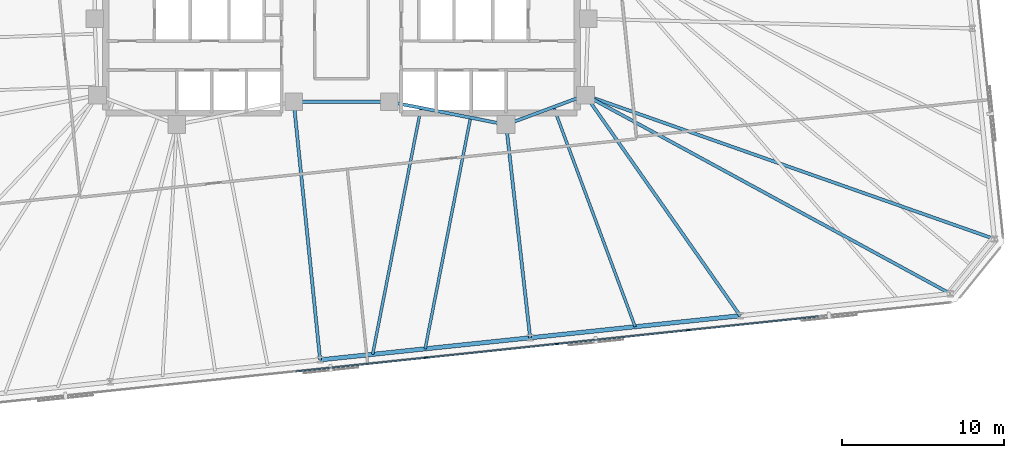
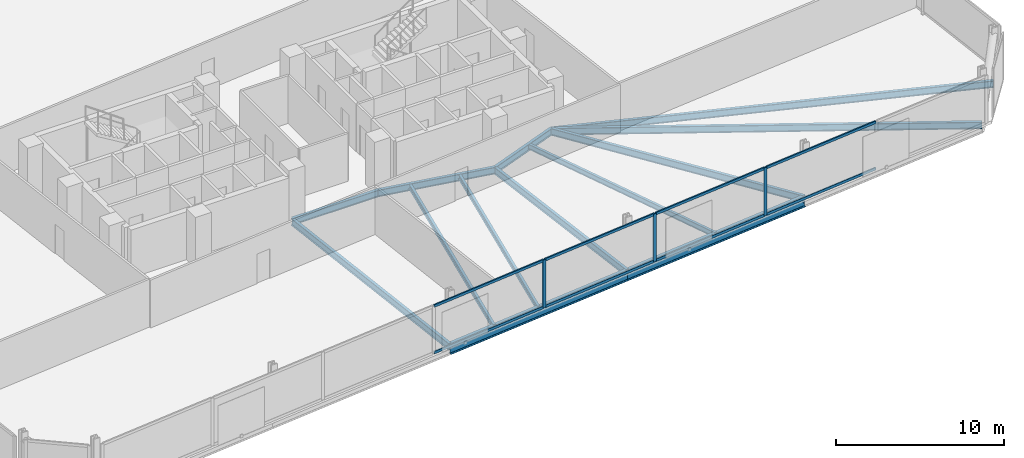
# One storey, part 7 of 17: 13 beams, 11 members, 1 element without a shape of its own.
"""IFC4 building model written with IfcOpenShell, lengths in metres."""

from ifc_helpers import new_model, si_unit, direction, frame, origin, origin_2d, place, context, subcontext, project, spatial, rectangle, i_section, extrude, material, material_profile, profile_set, type_object, element, aggregate, save


model = new_model("IFC4")

# Units and contexts
model_context = context("Model", 3, precision=1e-05, world=origin(), true_north=direction((0.0, 1.0)))
body_context = subcontext(model_context, "Body", "Model", "MODEL_VIEW")
ifc_project = project(units=[si_unit("LENGTHUNIT", "METRE"), si_unit("AREAUNIT", "SQUARE_METRE"), si_unit("VOLUMEUNIT", "CUBIC_METRE"), si_unit("PLANEANGLEUNIT", "RADIAN"), si_unit("MASSUNIT", "GRAM", prefix="KILO")], contexts=[model_context])

# Site, building, storey
site_placement = place(None, origin())
site = spatial("IfcSite", under=ifc_project, at=site_placement, CompositionType="ELEMENT")
building_placement = place(site_placement, origin())
building = spatial("IfcBuilding", under=site, at=building_placement, Name="Menara Jurai Vektor", CompositionType="ELEMENT")
storey_placement = place(building_placement, frame((0.0, 0.0, 131.800048828125)))
storey = spatial("IfcBuildingStorey", under=building, at=storey_placement, Name="L33", CompositionType="ELEMENT", Elevation=131.800048828125)

# Curtain wall, members
ifc_material_1 = material(Name="Anodised Pale Aluminium & Low-E Double Glazing", Category="aluminium")
curtain_wall_type = type_object("IfcCurtainWallType", Name="CW-BLK2", PredefinedType="NOTDEFINED", material=ifc_material_1)
curtain_wall_placement = place(storey_placement, origin())
curtain_wall = element("IfcCurtainWall", 1, at=curtain_wall_placement, inside=storey, type_object=curtain_wall_type, Name="Unitised Curtain Wall L33 F01", PredefinedType="NOTDEFINED")
ifc_material_2 = material(Name="Anodised Pale Aluminium Mullion", Category="aluminium")
ifc_material_profile_1 = material_profile(ifc_material_2, rectangle(XDim=0.090087890625, YDim=0.219970703125, at=origin_2d()), Name="ALU MUL 90x220")
ifc_profile_set_1 = profile_set([ifc_material_profile_1], Name="Anodised Pale Aluminium Mullion")
member_type_1 = type_object("IfcMemberType", Name="CW-BLK2-MUL", PredefinedType="MULLION", material=ifc_profile_set_1)
member_1_placement = place(storey_placement, frame((5.230224609375, -20.72265625, 0.0), z_axis=(0.0, 0.0, 1.0), x_axis=(-0.104528634935, 0.994521877325, 0.0)))
member_1 = element("IfcMember", 2, at=member_1_placement, type_object=member_type_1, Name="CW-02 mullion 5", PredefinedType="MULLION", context=body_context, shape_type="SweptSolid", body=[
    extrude(rectangle(XDim=0.090087890625, YDim=0.219970703125, at=origin_2d()), origin(), (0.0, 0.0, 1.0), 3.474853515625),
])
member_2_placement = place(storey_placement, frame((13.328125, -19.87158203125, 0.0), z_axis=(0.0, 0.0, 1.0), x_axis=(-0.104528634935, 0.994521877325, 0.0)))
member_2 = element("IfcMember", 3, at=member_2_placement, type_object=member_type_1, Name="CW-02 mullion 6", PredefinedType="MULLION", context=body_context, shape_type="SweptSolid", body=[
    extrude(rectangle(XDim=0.090087890625, YDim=0.219970703125, at=origin_2d()), origin(), (0.0, 0.0, 1.0), 3.474853515625),
])
member_3_placement = place(storey_placement, frame((21.426025390625, -19.020263671875, 0.0), z_axis=(0.0, 0.0, 1.0), x_axis=(-0.104528634935, 0.994521877325, 0.0)))
member_3 = element("IfcMember", 4, at=member_3_placement, type_object=member_type_1, Name="CW-02 mullion 7", PredefinedType="MULLION", context=body_context, shape_type="SweptSolid", body=[
    extrude(rectangle(XDim=0.090087890625, YDim=0.219970703125, at=origin_2d()), origin(), (0.0, 0.0, 1.0), 3.474853515625),
])
ifc_material_3 = material(Name="Anodised Pale Aluminium Transom", Category="aluminium")
ifc_material_profile_2 = material_profile(ifc_material_3, rectangle(XDim=0.090087890625, YDim=0.18505859375, at=origin_2d()), Name="ALU TRN 90x185")
ifc_profile_set_2 = profile_set([ifc_material_profile_2], Name="Anodised Pale Aluminium Transom")
member_type_2 = type_object("IfcMemberType", Name="CW-BLK2-TRN", PredefinedType="USERDEFINED", material=ifc_profile_set_2)
member_4_placement = place(storey_placement, frame((-2.82275390625, -21.569091796875, 0.044921875), z_axis=(0.994520726373, 0.10453958492, 0.0), x_axis=(-0.10453958492, 0.994520726373, 0.0)))
member_4 = element("IfcMember", 5, at=member_4_placement, type_object=member_type_2, Name="CW-02 transom 4.1", ObjectType="TRANSOM", PredefinedType="USERDEFINED", context=body_context, shape_type="SweptSolid", body=[
    extrude(rectangle(XDim=0.090087890625, YDim=0.18505859375, at=origin_2d()), origin(), (0.0, 0.0, 1.0), 8.052490234375),
])
member_5_placement = place(storey_placement, frame((-2.82275390625, -21.569091796875, 3.429931640625), z_axis=(0.994520726373, 0.10453958492, 0.0), x_axis=(-0.10453958492, 0.994520726373, 0.0)))
member_5 = element("IfcMember", 6, at=member_5_placement, type_object=member_type_2, Name="CW-02 transom 4.2", ObjectType="TRANSOM", PredefinedType="USERDEFINED", context=body_context, shape_type="SweptSolid", body=[
    extrude(rectangle(XDim=0.090087890625, YDim=0.18505859375, at=origin_2d()), origin(), (0.0, 0.0, 1.0), 8.052490234375),
])
member_6_placement = place(storey_placement, frame((5.275146484375, -20.718017578125, 0.044921875), z_axis=(0.994520726373, 0.10453958492, 0.0), x_axis=(-0.10453958492, 0.994520726373, 0.0)))
member_6 = element("IfcMember", 7, at=member_6_placement, type_object=member_type_2, Name="CW-02 transom 5.1", ObjectType="TRANSOM", PredefinedType="USERDEFINED", context=body_context, shape_type="SweptSolid", body=[
    extrude(rectangle(XDim=0.090087890625, YDim=0.18505859375, at=origin_2d()), origin(), (0.0, 0.0, 1.0), 8.052490234375),
])
member_7_placement = place(storey_placement, frame((5.275146484375, -20.718017578125, 3.429931640625), z_axis=(0.994520726373, 0.10453958492, 0.0), x_axis=(-0.10453958492, 0.994520726373, 0.0)))
member_7 = element("IfcMember", 8, at=member_7_placement, type_object=member_type_2, Name="CW-02 transom 5.2", ObjectType="TRANSOM", PredefinedType="USERDEFINED", context=body_context, shape_type="SweptSolid", body=[
    extrude(rectangle(XDim=0.090087890625, YDim=0.18505859375, at=origin_2d()), origin(), (0.0, 0.0, 1.0), 8.052490234375),
])
member_8_placement = place(storey_placement, frame((13.373046875, -19.86669921875, 0.044921875), z_axis=(0.99452387809, 0.104509597213, 0.0), x_axis=(-0.104509597213, 0.99452387809, 0.0)))
member_8 = element("IfcMember", 9, at=member_8_placement, type_object=member_type_2, Name="CW-02 transom 6.1", ObjectType="TRANSOM", PredefinedType="USERDEFINED", context=body_context, shape_type="SweptSolid", body=[
    extrude(rectangle(XDim=0.090087890625, YDim=0.18505859375, at=origin_2d()), origin(), (0.0, 0.0, 1.0), 8.052490234375),
])
member_9_placement = place(storey_placement, frame((13.373046875, -19.86669921875, 3.429931640625), z_axis=(0.99452387809, 0.104509597213, 0.0), x_axis=(-0.104509597213, 0.99452387809, 0.0)))
member_9 = element("IfcMember", 10, at=member_9_placement, type_object=member_type_2, Name="CW-02 transom 6.2", ObjectType="TRANSOM", PredefinedType="USERDEFINED", context=body_context, shape_type="SweptSolid", body=[
    extrude(rectangle(XDim=0.090087890625, YDim=0.18505859375, at=origin_2d()), origin(), (0.0, 0.0, 1.0), 8.052490234375),
])
member_10_placement = place(storey_placement, frame((21.470947265625, -19.015625, 0.044921875), z_axis=(0.994520726373, 0.10453958492, 0.0), x_axis=(-0.10453958492, 0.994520726373, 0.0)))
member_10 = element("IfcMember", 11, at=member_10_placement, type_object=member_type_2, Name="CW-02 transom 7.1", ObjectType="TRANSOM", PredefinedType="USERDEFINED", context=body_context, shape_type="SweptSolid", body=[
    extrude(rectangle(XDim=0.090087890625, YDim=0.18505859375, at=origin_2d()), origin(), (0.0, 0.0, 1.0), 8.052490234375),
])
member_11_placement = place(storey_placement, frame((21.470947265625, -19.015625, 3.429931640625), z_axis=(0.994520726373, 0.10453958492, 0.0), x_axis=(-0.10453958492, 0.994520726373, 0.0)))
member_11 = element("IfcMember", 12, at=member_11_placement, type_object=member_type_2, Name="CW-02 transom 7.2", ObjectType="TRANSOM", PredefinedType="USERDEFINED", context=body_context, shape_type="SweptSolid", body=[
    extrude(rectangle(XDim=0.090087890625, YDim=0.18505859375, at=origin_2d()), origin(), (0.0, 0.0, 1.0), 8.052490234375),
])
aggregate(curtain_wall, [member_1, member_2, member_3, member_4, member_5, member_6, member_7, member_8, member_9, member_10, member_11])

# Beams
ifc_material_4 = material(Name="Steel S355", Category="steel")
ifc_material_profile_3 = material_profile(ifc_material_4, i_section(OverallWidth=0.199951171875, OverallDepth=0.5, WebThickness=0.011962890625, FlangeThickness=0.02001953125, at=origin_2d()), Name="PG 500x200x96")
ifc_profile_set_3 = profile_set([ifc_material_profile_3], Name="Steel S355")
beam_type_1 = type_object("IfcBeamType", Name="STR-BM-500", PredefinedType="BEAM", material=ifc_profile_set_3)
beam_1_placement = place(storey_placement, frame((10.179931640625, -6.320068359375, -0.47509765625), z_axis=(0.937424400887, 0.348188874925, 0.0), x_axis=(-0.348188874925, 0.937424400887, 0.0)))
element("IfcBeam", 13, at=beam_1_placement, inside=storey, type_object=beam_type_1, Name="Core Ring Header Girder L33-CHE-S1", PredefinedType="BEAM", context=body_context, shape_type="SweptSolid", body=[
    extrude(i_section(OverallWidth=0.199951171875, OverallDepth=0.5, WebThickness=0.011962890625, FlangeThickness=0.02001953125, at=origin_2d()), origin(), (0.0, 0.0, 1.0), 5.227294921875),
])
beam_2_placement = place(storey_placement, frame((2.949951171875, -4.89990234375, -0.47509765625), z_axis=(0.981249044334, -0.192744164614, 0.0), x_axis=(0.192744164614, 0.981249044334, 0.0)))
element("IfcBeam", 14, at=beam_2_placement, inside=storey, type_object=beam_type_1, Name="Core Ring Header Girder L33-CHE-S2", PredefinedType="BEAM", context=body_context, shape_type="SweptSolid", body=[
    extrude(i_section(OverallWidth=0.199951171875, OverallDepth=0.5, WebThickness=0.011962890625, FlangeThickness=0.02001953125, at=origin_2d()), origin(), (0.0, 0.0, 1.0), 7.3681640625),
])
beam_3_placement = place(storey_placement, frame((-2.949951171875, -4.89990234375, -0.47509765625), z_axis=(1.0, 0.0, 0.0), x_axis=(0.0, 1.0, 0.0)))
element("IfcBeam", 15, at=beam_3_placement, inside=storey, type_object=beam_type_1, Name="Core Ring Header Girder L33-CC-1", PredefinedType="BEAM", context=body_context, shape_type="SweptSolid", body=[
    extrude(i_section(OverallWidth=0.199951171875, OverallDepth=0.5, WebThickness=0.011962890625, FlangeThickness=0.02001953125, at=origin_2d()), origin(), (0.0, 0.0, 1.0), 5.89990234375),
])
beam_4_placement = place(storey_placement, frame((-1.31689453125, -20.85791015625, -0.47509765625), z_axis=(-0.101802947506, 0.994804583765, 0.0), x_axis=(-0.994804583765, -0.101802947506, 0.0)))
element("IfcBeam", 16, at=beam_4_placement, inside=storey, type_object=beam_type_1, Name="Radial Floor Girder L33-S3", PredefinedType="BEAM", context=body_context, shape_type="SweptSolid", body=[
    extrude(i_section(OverallWidth=0.199951171875, OverallDepth=0.5, WebThickness=0.011962890625, FlangeThickness=0.02001953125, at=origin_2d()), origin(), (0.0, 0.0, 1.0), 16.041259765625),
])
beam_5_placement = place(storey_placement, frame((11.66259765625, -19.493408203125, -0.47509765625), z_axis=(-0.111844331087, 0.99372573963, 0.0), x_axis=(-0.99372573963, -0.111844331087, 0.0)))
element("IfcBeam", 17, at=beam_5_placement, inside=storey, type_object=beam_type_1, Name="Radial Floor Girder L33-S4", PredefinedType="BEAM", context=body_context, shape_type="SweptSolid", body=[
    extrude(i_section(OverallWidth=0.199951171875, OverallDepth=0.5, WebThickness=0.011962890625, FlangeThickness=0.02001953125, at=origin_2d()), origin(), (0.0, 0.0, 1.0), 13.256591796875),
])
beam_6_placement = place(storey_placement, frame((24.64208984375, -18.12939453125, -0.47509765625), z_axis=(-0.574326112611, 0.818626603754, 0.0), x_axis=(-0.818626603754, -0.574326112611, 0.0)))
element("IfcBeam", 18, at=beam_6_placement, inside=storey, type_object=beam_type_1, Name="Radial Floor Girder L33-S5", PredefinedType="BEAM", context=body_context, shape_type="SweptSolid", body=[
    extrude(i_section(OverallWidth=0.199951171875, OverallDepth=0.5, WebThickness=0.011962890625, FlangeThickness=0.02001953125, at=origin_2d()), origin(), (0.0, 0.0, 1.0), 16.649169921875),
])
beam_7_placement = place(storey_placement, frame((37.621826171875, -16.76513671875, -0.47509765625), z_axis=(-0.878392468416, 0.477940029115, 0.0), x_axis=(-0.477940029115, -0.878392468416, 0.0)))
element("IfcBeam", 19, at=beam_7_placement, inside=storey, type_object=beam_type_1, Name="Radial Floor Girder L33-S6", PredefinedType="BEAM", context=body_context, shape_type="SweptSolid", body=[
    extrude(i_section(OverallWidth=0.199951171875, OverallDepth=0.5, WebThickness=0.011962890625, FlangeThickness=0.02001953125, at=origin_2d()), origin(), (0.0, 0.0, 1.0), 25.66259765625),
])
beam_8_placement = place(storey_placement, frame((40.356201171875, -13.388671875, -0.47509765625), z_axis=(-0.943368219745, 0.331747497315, 0.0), x_axis=(-0.331747497315, -0.943368219745, 0.0)))
element("IfcBeam", 20, at=beam_8_placement, inside=storey, type_object=beam_type_1, Name="Radial Floor Girder L33-E1", PredefinedType="BEAM", context=body_context, shape_type="SweptSolid", body=[
    extrude(i_section(OverallWidth=0.199951171875, OverallDepth=0.5, WebThickness=0.011962890625, FlangeThickness=0.02001953125, at=origin_2d()), origin(), (0.0, 0.0, 1.0), 26.79345703125),
])
ifc_material_profile_4 = material_profile(ifc_material_4, i_section(OverallWidth=0.175048828125, OverallDepth=0.3798828125, WebThickness=0.010009765625, FlangeThickness=0.014892578125, at=origin_2d()), Name="PG 380x175x58")
ifc_profile_set_4 = profile_set([ifc_material_profile_4], Name="Steel S355")
beam_type_2 = type_object("IfcBeamType", Name="STR-JS-380", PredefinedType="JOIST", material=ifc_profile_set_4)
beam_9_placement = place(storey_placement, frame((1.927978515625, -20.5166015625, -0.4150390625), z_axis=(0.192720963177, 0.981253601447, 0.0), x_axis=(-0.981253601447, 0.192720963177, 0.0)))
element("IfcBeam", 21, at=beam_9_placement, inside=storey, type_object=beam_type_2, Name="Radial Secondary Floor Joist L33-JS06", PredefinedType="JOIST", context=body_context, shape_type="SweptSolid", body=[
    extrude(i_section(OverallWidth=0.175048828125, OverallDepth=0.3798828125, WebThickness=0.010009765625, FlangeThickness=0.014892578125, at=origin_2d()), origin(), (0.0, 0.0, 1.0), 15.52099609375),
])
beam_10_placement = place(storey_placement, frame((5.1728515625, -20.175537109375, -0.4150390625), z_axis=(0.192719646422, 0.98125386006, 0.0), x_axis=(-0.98125386006, 0.192719646422, 0.0)))
element("IfcBeam", 22, at=beam_10_placement, inside=storey, type_object=beam_type_2, Name="Radial Secondary Floor Joist L33-JS07", PredefinedType="JOIST", context=body_context, shape_type="SweptSolid", body=[
    extrude(i_section(OverallWidth=0.175048828125, OverallDepth=0.3798828125, WebThickness=0.010009765625, FlangeThickness=0.014892578125, at=origin_2d()), origin(), (0.0, 0.0, 1.0), 14.560791015625),
])
beam_11_placement = place(storey_placement, frame((18.15234375, -18.811279296875, -0.4150390625), z_axis=(-0.348188645432, 0.937424486128, 0.0), x_axis=(-0.937424486128, -0.348188645432, 0.0)))
element("IfcBeam", 23, at=beam_11_placement, inside=storey, type_object=beam_type_2, Name="Radial Secondary Floor Joist L33-JS08", PredefinedType="JOIST", context=body_context, shape_type="SweptSolid", body=[
    extrude(i_section(OverallWidth=0.175048828125, OverallDepth=0.3798828125, WebThickness=0.010009765625, FlangeThickness=0.014892578125, at=origin_2d()), origin(), (0.0, 0.0, 1.0), 14.485595703125),
])
ifc_material_5 = material(Name="Steel S460", Category="steel")
ifc_material_profile_5 = material_profile(ifc_material_5, i_section(OverallWidth=0.26806640625, OverallDepth=0.77001953125, WebThickness=0.01611328125, FlangeThickness=0.02490234375, FilletRadius=0.01708984375, at=origin_2d()), Name="UKB 762x267x197")
ifc_profile_set_5 = profile_set([ifc_material_profile_5], Name="Steel S460")
beam_type_3 = type_object("IfcBeamType", Name="STR-SP-762", PredefinedType="SPANDREL", material=ifc_profile_set_5)
for number, where, z_axis, x_axis, name in (
    (24, (-1.31689453125, -20.85791015625, -0.610107421875), (0.994519486762, 0.104551377088, 0.0), (-0.104551377088, 0.994519486762, 0.0), "Exoskeleton Spandrel Beam L33-03"),
    (25, (11.66259765625, -19.493408203125, -0.610107421875), (0.99452337626, 0.104514372567, 0.0), (-0.104514372567, 0.99452337626, 0.0), "Exoskeleton Spandrel Beam L33-04"),
):
    element("IfcBeam", number, at=place(storey_placement, frame(where, z_axis=z_axis, x_axis=x_axis)), inside=storey, type_object=beam_type_3, Name=name, PredefinedType="SPANDREL", context=body_context, shape_type="SweptSolid", body=[
        extrude(i_section(OverallWidth=0.26806640625, OverallDepth=0.77001953125, WebThickness=0.01611328125, FlangeThickness=0.02490234375, FilletRadius=0.01708984375, at=origin_2d()), origin(), (0.0, 0.0, 1.0), 13.051025390625),
    ])

save(model, "model.ifc")
